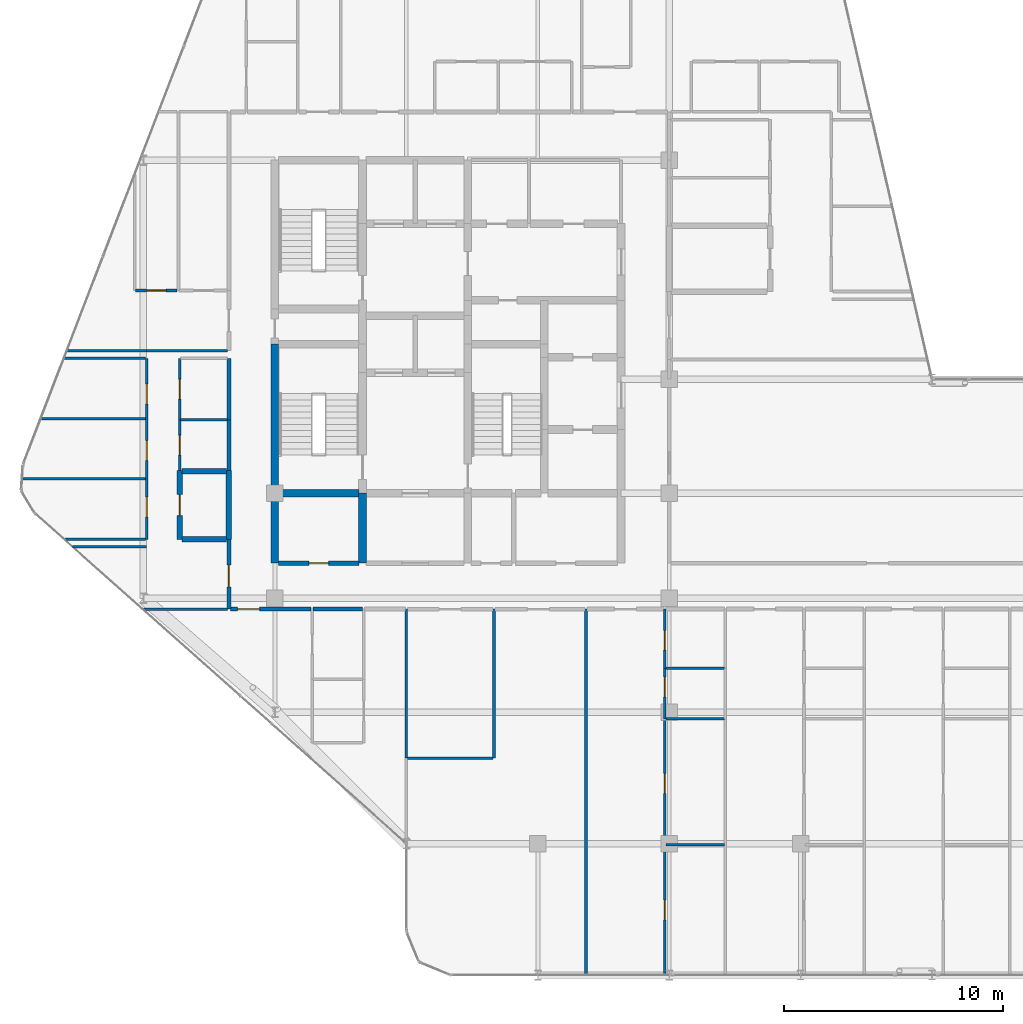
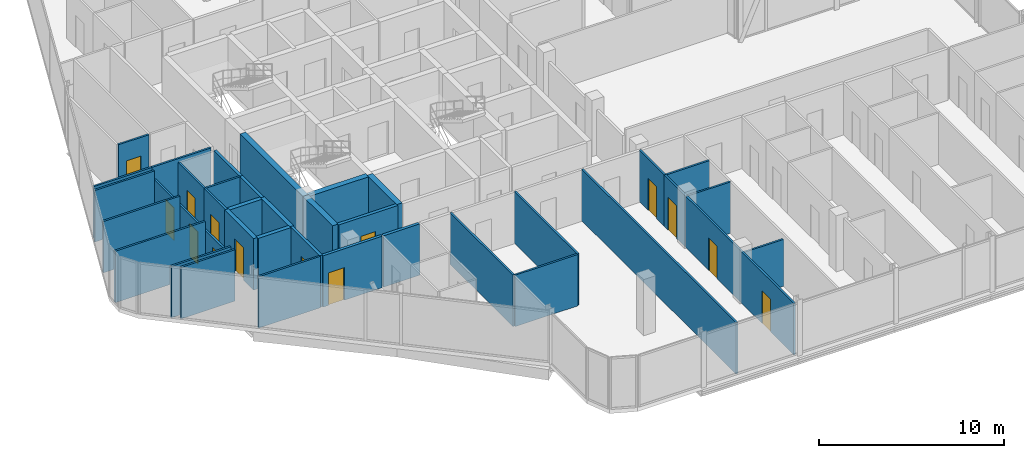
# One storey, part 23 of 29: 37 walls, 14 doors, 14 openings.
"""IFC4 building model written with IfcOpenShell, lengths in metres."""

from ifc_helpers import new_model, si_unit, direction, frame, frame_2d, origin, place, context, subcontext, project, spatial, rectangle, extrude, material, layer, layer_set, type_object, element, fill, save


model = new_model("IFC4")

# Units and contexts
model_context = context("Model", 3, precision=1e-05, world=origin(), true_north=direction((0.0, 1.0)))
body_context = subcontext(model_context, "Body", "Model", "MODEL_VIEW")
ifc_project = project(units=[si_unit("LENGTHUNIT", "METRE"), si_unit("AREAUNIT", "SQUARE_METRE"), si_unit("VOLUMEUNIT", "CUBIC_METRE"), si_unit("PLANEANGLEUNIT", "RADIAN"), si_unit("MASSUNIT", "GRAM", prefix="KILO")], contexts=[model_context])

# Site, building, storey
site_placement = place(None, origin())
site = spatial("IfcSite", under=ifc_project, at=site_placement, CompositionType="ELEMENT")
building_placement = place(site_placement, origin())
building = spatial("IfcBuilding", under=site, at=building_placement, Name="Keshet Zoharim Tower", CompositionType="ELEMENT")
storey_placement = place(building_placement, frame((0.0, 0.0, 222.800048828125)))
storey = spatial("IfcBuildingStorey", under=building, at=storey_placement, Name="L55", CompositionType="ELEMENT", Elevation=222.800048828125)

# Walls
ifc_material_1 = material(Name="Concrete C60/75", Category="concrete")
ifc_layer_1 = layer(ifc_material_1, 0.35009765625)
ifc_layer_set_1 = layer_set([ifc_layer_1], Name="Concrete C60/75")
wall_type_1 = type_object("IfcWallType", Name="WL-CORE-350", PredefinedType="SHEAR", material=ifc_layer_set_1)
wall_1_placement = place(storey_placement, frame((15.0, 19.5, 0.0), z_axis=(0.0, 0.0, 1.0), x_axis=(0.0, 1.0, 0.0)))
element("IfcWall", 1, at=wall_1_placement, inside=storey, type_object=wall_type_1, Name="L55 Core Shear Wall 015", PredefinedType="SHEAR", context=body_context, shape_type="SweptSolid", body=[
    extrude(rectangle(XDim=3.199951171875, YDim=0.35009765625, at=frame_2d((1.60009765625, 0.0))), origin(), (0.0, 0.0, 1.0), 3.389892578125),
])
wall_2_placement = place(storey_placement, frame((15.0, 22.699951171875, 0.0), z_axis=(0.0, 0.0, 1.0), x_axis=(0.0, 1.0, 0.0)))
element("IfcWall", 2, at=wall_2_placement, inside=storey, type_object=wall_type_1, Name="L55 Core Shear Wall 016", PredefinedType="SHEAR", context=body_context, shape_type="SweptSolid", body=[
    extrude(rectangle(XDim=6.800048828125, YDim=0.35009765625, at=frame_2d((3.39990234375, 0.0))), origin(), (0.0, 0.0, 1.0), 3.389892578125),
])
wall_3_placement = place(storey_placement, frame((19.0, 19.5, 0.0), z_axis=(0.0, 0.0, 1.0), x_axis=(0.0, 1.0, 0.0)))
element("IfcWall", 3, at=wall_3_placement, inside=storey, type_object=wall_type_1, Name="L55 Core Shear Wall 024", PredefinedType="SHEAR", context=body_context, shape_type="SweptSolid", body=[
    extrude(rectangle(XDim=3.199951171875, YDim=0.35009765625, at=frame_2d((1.60009765625, 0.0))), origin(), (0.0, 0.0, 1.0), 3.389892578125),
])
wall_4_placement = place(storey_placement, frame((15.159912109375, 22.699951171875, 0.0), z_axis=(0.0, 0.0, 1.0), x_axis=(1.0, 0.0, 0.0)))
element("IfcWall", 4, at=wall_4_placement, inside=storey, type_object=wall_type_1, Name="L55 Core Shear Wall 142", PredefinedType="SHEAR", context=body_context, shape_type="SweptSolid", body=[
    extrude(rectangle(XDim=3.68017578125, YDim=0.35009765625, at=frame_2d((1.840087890625, 0.0))), origin(), (0.0, 0.0, 1.0), 3.389892578125),
])

# Wall, opening, door
ifc_material_2 = material(Name="Gypsum Plasterboard", Category="gypsum")
ifc_layer_2 = layer(ifc_material_2, 0.179931640625)
ifc_layer_set_2 = layer_set([ifc_layer_2], Name="Gypsum Plasterboard")
wall_type_2 = type_object("IfcWallType", Name="WL-CORR-180", PredefinedType="STANDARD", material=ifc_layer_set_2)
wall_5_placement = place(storey_placement, frame((12.89990234375, 17.39990234375, 0.0), z_axis=(0.0, 0.0, 1.0), x_axis=(0.0, 1.0, 0.0)))
wall_5 = element("IfcWall", 5, at=wall_5_placement, inside=storey, type_object=wall_type_2, Name="L55 Interior Wall 007", PredefinedType="STANDARD", context=body_context, shape_type="SweptSolid", body=[
    extrude(rectangle(XDim=3.18017578125, YDim=0.179931640625, at=frame_2d((1.590087890625, 0.0))), origin(), (0.0, 0.0, 1.0), 3.389892578125),
])
opening_1_placement = place(wall_5_placement, frame((1.014892578125, 0.0, 0.0)))
opening_1 = element("IfcOpeningElement", 6, at=opening_1_placement, cuts=wall_5, Name="Opening D-F310", PredefinedType="OPENING", context=body_context, shape_type="SweptSolid", body=[
    extrude(rectangle(XDim=1.0, YDim=2.14990234375, at=frame_2d((0.5, 1.074951171875))), frame((0.0, 0.10009765625, 0.0), z_axis=(0.0, -1.0, 0.0), x_axis=(1.0, 0.0, 0.0)), (0.0, 0.0, 1.0), 0.199951171875),
])
ifc_material_3 = material(Name="Hardwood Timber", Category="wood")
door_type_1 = type_object("IfcDoorType", Name="DR-FD30-100", OperationType="NOTDEFINED", PredefinedType="DOOR", material=ifc_material_3)
door_1_placement = place(opening_1_placement, origin())
door_1 = element("IfcDoor", 7, at=door_1_placement, inside=storey, type_object=door_type_1, Name="Apartment 5509 Entrance Door", OperationType="SINGLE_SWING_RIGHT", OverallHeight=2.14990234375, OverallWidth=1.0, PredefinedType="DOOR", context=body_context, shape_type="SweptSolid", body=[
    extrude(rectangle(XDim=1.0, YDim=2.14990234375, at=frame_2d((0.5, 1.074951171875))), frame((0.0, 0.02490234375, 0.0), z_axis=(0.0, -1.0, 0.0), x_axis=(1.0, 0.0, 0.0)), (0.0, 0.0, 1.0), 0.050048828125),
])
fill(opening_1, door_1)

# Walls
wall_6_placement = place(storey_placement, frame((12.89990234375, 23.721923828125, 0.0), z_axis=(0.0, 0.0, 1.0), x_axis=(0.0, 1.0, 0.0)))
element("IfcWall", 8, at=wall_6_placement, inside=storey, type_object=wall_type_2, Name="L55 Interior Wall 009", PredefinedType="STANDARD", context=body_context, shape_type="SweptSolid", body=[
    extrude(rectangle(XDim=2.316162109375, YDim=0.179931640625, at=frame_2d((1.158203125, 0.0))), origin(), (0.0, 0.0, 1.0), 3.389892578125),
])
wall_7_placement = place(storey_placement, frame((12.89990234375, 26.0380859375, 0.0), z_axis=(0.0, 0.0, 1.0), x_axis=(0.0, 1.0, 0.0)))
element("IfcWall", 9, at=wall_7_placement, inside=storey, type_object=wall_type_2, Name="L55 Interior Wall 010", PredefinedType="STANDARD", context=body_context, shape_type="SweptSolid", body=[
    extrude(rectangle(XDim=2.81201171875, YDim=0.179931640625, at=frame_2d((1.406005859375, 0.0))), origin(), (0.0, 0.0, 1.0), 3.389892578125),
])

# Wall, opening, door
wall_8_placement = place(storey_placement, frame((12.97509765625, 17.39990234375, 0.0), z_axis=(0.0, 0.0, 1.0), x_axis=(1.0, 0.0, 0.0)))
wall_8 = element("IfcWall", 10, at=wall_8_placement, inside=storey, type_object=wall_type_2, Name="L55 Interior Wall 121", PredefinedType="STANDARD", context=body_context, shape_type="SweptSolid", body=[
    extrude(rectangle(XDim=3.679931640625, YDim=0.179931640625, at=frame_2d((1.83984375, 0.0))), origin(), (0.0, 0.0, 1.0), 3.389892578125),
])
opening_2_placement = place(wall_8_placement, frame((0.322021484375, 0.0, 0.0)))
opening_2 = element("IfcOpeningElement", 11, at=opening_2_placement, cuts=wall_8, Name="Opening D-F310", PredefinedType="OPENING", context=body_context, shape_type="SweptSolid", body=[
    extrude(rectangle(XDim=1.0, YDim=2.14990234375, at=frame_2d((0.5, 1.074951171875))), frame((0.0, 0.10009765625, 0.0), z_axis=(0.0, -1.0, 0.0), x_axis=(1.0, 0.0, 0.0)), (0.0, 0.0, 1.0), 0.199951171875),
])
door_2_placement = place(opening_2_placement, origin())
door_2 = element("IfcDoor", 12, at=door_2_placement, inside=storey, type_object=door_type_1, Name="Apartment 5501 Entrance Door", OperationType="SINGLE_SWING_RIGHT", OverallHeight=2.14990234375, OverallWidth=1.0, PredefinedType="DOOR", context=body_context, shape_type="SweptSolid", body=[
    extrude(rectangle(XDim=1.0, YDim=2.14990234375, at=frame_2d((0.5, 1.074951171875))), frame((0.0, 0.02490234375, 0.0), z_axis=(0.0, -1.0, 0.0), x_axis=(1.0, 0.0, 0.0)), (0.0, 0.0, 1.0), 0.050048828125),
])
fill(opening_2, door_2)

# Wall
wall_9_placement = place(storey_placement, frame((16.7451171875, 17.39990234375, 0.0), z_axis=(0.0, 0.0, 1.0), x_axis=(1.0, 0.0, 0.0)))
element("IfcWall", 13, at=wall_9_placement, inside=storey, type_object=wall_type_2, Name="L55 Interior Wall 122", PredefinedType="STANDARD", context=body_context, shape_type="SweptSolid", body=[
    extrude(rectangle(XDim=2.259765625, YDim=0.179931640625, at=frame_2d((1.1298828125, 0.0))), origin(), (0.0, 0.0, 1.0), 3.389892578125),
])

# Wall, opening, door
ifc_material_4 = material(Name="Concrete C50/60", Category="concrete")
ifc_layer_3 = layer(ifc_material_4, 0.199951171875)
ifc_layer_set_3 = layer_set([ifc_layer_3], Name="Concrete C50/60")
wall_type_3 = type_object("IfcWallType", Name="WL-FIRE-200", PredefinedType="STANDARD", material=ifc_layer_set_3)
wall_10_placement = place(storey_placement, frame((15.159912109375, 19.5, 0.0), z_axis=(0.0, 0.0, 1.0), x_axis=(1.0, 0.0, 0.0)))
wall_10 = element("IfcWall", 14, at=wall_10_placement, inside=storey, type_object=wall_type_3, Name="L55 Interior Wall 134", PredefinedType="STANDARD", context=body_context, shape_type="SweptSolid", body=[
    extrude(rectangle(XDim=3.68017578125, YDim=0.199951171875, at=frame_2d((1.840087890625, 0.0))), origin(), (0.0, 0.0, 1.0), 3.389892578125),
])
opening_3_placement = place(wall_10_placement, frame((1.389892578125, 0.0, 0.0)))
opening_3 = element("IfcOpeningElement", 15, at=opening_3_placement, cuts=wall_10, Name="Opening D-F690", PredefinedType="OPENING", context=body_context, shape_type="SweptSolid", body=[
    extrude(rectangle(XDim=0.89990234375, YDim=2.14990234375, at=frame_2d((0.449951171875, 1.074951171875))), frame((0.0, 0.10986328125, 0.0), z_axis=(0.0, -1.0, 0.0), x_axis=(1.0, 0.0, 0.0)), (0.0, 0.0, 1.0), 0.219970703125),
])
door_type_2 = type_object("IfcDoorType", Name="DR-FD60-090", OperationType="NOTDEFINED", PredefinedType="DOOR", material=ifc_material_3)
door_3_placement = place(opening_3_placement, origin())
door_3 = element("IfcDoor", 16, at=door_3_placement, inside=storey, type_object=door_type_2, Name="L55 Refuse Room Door", OperationType="SINGLE_SWING_LEFT", OverallHeight=2.14990234375, OverallWidth=0.89990234375, PredefinedType="DOOR", context=body_context, shape_type="SweptSolid", body=[
    extrude(rectangle(XDim=0.89990234375, YDim=2.14990234375, at=frame_2d((0.449951171875, 1.074951171875))), frame((0.0, 0.02490234375, 0.0), z_axis=(0.0, -1.0, 0.0), x_axis=(1.0, 0.0, 0.0)), (0.0, 0.0, 1.0), 0.050048828125),
])
fill(opening_3, door_3)

ifc_layer_4 = layer(ifc_material_4, 0.25)
ifc_layer_set_4 = layer_set([ifc_layer_4], Name="Concrete C50/60")
wall_type_4 = type_object("IfcWallType", Name="WL-MAMAD-250", PredefinedType="STANDARD", material=ifc_layer_set_4)
wall_11_placement = place(storey_placement, frame((10.64990234375, 20.580078125, 0.0), z_axis=(0.0, 0.0, 1.0), x_axis=(0.0, 1.0, 0.0)))
wall_11 = element("IfcWall", 17, at=wall_11_placement, inside=storey, type_object=wall_type_4, Name="L55 Interior Wall 004", PredefinedType="STANDARD", context=body_context, shape_type="SweptSolid", body=[
    extrude(rectangle(XDim=3.141845703125, YDim=0.25, at=frame_2d((1.57080078125, 0.0))), origin(), (0.0, 0.0, 1.0), 3.389892578125),
])
opening_4_placement = place(wall_11_placement, frame((1.095947265625, 0.0, 0.0)))
opening_4 = element("IfcOpeningElement", 18, at=opening_4_placement, cuts=wall_11, Name="Opening D-F695", PredefinedType="OPENING", context=body_context, shape_type="SweptSolid", body=[
    extrude(rectangle(XDim=0.949951171875, YDim=2.14990234375, at=frame_2d((0.47509765625, 1.074951171875))), frame((0.0, 0.135009765625, 0.0), z_axis=(0.0, -1.0, 0.0), x_axis=(1.0, 0.0, 0.0)), (0.0, 0.0, 1.0), 0.27001953125),
])
door_type_3 = type_object("IfcDoorType", Name="DR-FD60-095", OperationType="NOTDEFINED", PredefinedType="DOOR", material=ifc_material_3)
door_4_placement = place(opening_4_placement, origin())
door_4 = element("IfcDoor", 19, at=door_4_placement, inside=storey, type_object=door_type_3, Name="Apartment 5509 Study and Shelter Room Door", OperationType="SINGLE_SWING_LEFT", OverallHeight=2.14990234375, OverallWidth=0.949951171875, PredefinedType="DOOR", context=body_context, shape_type="SweptSolid", body=[
    extrude(rectangle(XDim=0.949951171875, YDim=2.14990234375, at=frame_2d((0.47509765625, 1.074951171875))), frame((0.0, 0.02490234375, 0.0), z_axis=(0.0, -1.0, 0.0), x_axis=(1.0, 0.0, 0.0)), (0.0, 0.0, 1.0), 0.050048828125),
])
fill(opening_4, door_4)

# Walls
wall_12_placement = place(storey_placement, frame((12.89990234375, 20.580078125, 0.0), z_axis=(0.0, 0.0, 1.0), x_axis=(0.0, 1.0, 0.0)))
element("IfcWall", 20, at=wall_12_placement, inside=storey, type_object=wall_type_4, Name="L55 Interior Wall 008", PredefinedType="STANDARD", context=body_context, shape_type="SweptSolid", body=[
    extrude(rectangle(XDim=3.141845703125, YDim=0.25, at=frame_2d((1.57080078125, 0.0))), origin(), (0.0, 0.0, 1.0), 3.389892578125),
])
for number, where, z_axis, x_axis, name in (
    (21, (10.760009765625, 20.60009765625, 0.0), (0.0, 0.0, 1.0), (1.0, 0.0, 0.0), "L55 Interior Wall 141"),
    (22, (10.760009765625, 23.699951171875, 0.0), (0.0, 0.0, 1.0), (1.0, 0.0, 0.0), "L55 Interior Wall 148"),
):
    element("IfcWall", number, at=place(storey_placement, frame(where, z_axis=z_axis, x_axis=x_axis)), inside=storey, type_object=wall_type_4, Name=name, PredefinedType="STANDARD", context=body_context, shape_type="SweptSolid", body=[
        extrude(rectangle(XDim=2.030029296875, YDim=0.25, at=frame_2d((1.01513671875, 0.0))), origin(), (0.0, 0.0, 1.0), 3.389892578125),
    ])

# Wall, openings, doors
ifc_layer_5 = layer(ifc_material_2, 0.1201171875)
ifc_layer_set_5 = layer_set([ifc_layer_5], Name="Gypsum Plasterboard")
wall_type_5 = type_object("IfcWallType", Name="WL-PART-120", PredefinedType="PARTITIONING", material=ifc_layer_set_5)
wall_13_placement = place(storey_placement, frame((9.14990234375, 20.580078125, 0.0), z_axis=(0.0, 0.0, 1.0), x_axis=(0.0, 1.0, 0.0)))
wall_13 = element("IfcWall", 23, at=wall_13_placement, inside=storey, type_object=wall_type_5, Name="L55 Interior Wall 002", PredefinedType="PARTITIONING", context=body_context, shape_type="SweptSolid", body=[
    extrude(rectangle(XDim=8.27001953125, YDim=0.1201171875, at=frame_2d((4.135009765625, 0.0))), origin(), (0.0, 0.0, 1.0), 2.7900390625),
])
opening_5_placement = place(wall_13_placement, frame((1.031005859375, 0.0, 0.0)))
opening_5 = element("IfcOpeningElement", 24, at=opening_5_placement, cuts=wall_13, Name="Opening D-IN90", PredefinedType="OPENING", context=body_context, shape_type="SweptSolid", body=[
    extrude(rectangle(XDim=0.89990234375, YDim=2.14990234375, at=frame_2d((0.449951171875, 1.074951171875))), frame((0.0, 0.070068359375, 0.0), z_axis=(0.0, -1.0, 0.0), x_axis=(1.0, 0.0, 0.0)), (0.0, 0.0, 1.0), 0.14013671875),
])
opening_6_placement = place(wall_13_placement, frame((3.611083984375, 0.0, 0.0)))
opening_6 = element("IfcOpeningElement", 25, at=opening_6_placement, cuts=wall_13, Name="Opening D-IN90", PredefinedType="OPENING", context=body_context, shape_type="SweptSolid", body=[
    extrude(rectangle(XDim=0.89990234375, YDim=2.14990234375, at=frame_2d((0.449951171875, 1.074951171875))), frame((0.0, 0.070068359375, 0.0), z_axis=(0.0, -1.0, 0.0), x_axis=(1.0, 0.0, 0.0)), (0.0, 0.0, 1.0), 0.14013671875),
])
opening_7_placement = place(wall_13_placement, frame((6.194091796875, 0.0, 0.0)))
opening_7 = element("IfcOpeningElement", 26, at=opening_7_placement, cuts=wall_13, Name="Opening D-IN90", PredefinedType="OPENING", context=body_context, shape_type="SweptSolid", body=[
    extrude(rectangle(XDim=0.89990234375, YDim=2.14990234375, at=frame_2d((0.449951171875, 1.074951171875))), frame((0.0, 0.070068359375, 0.0), z_axis=(0.0, -1.0, 0.0), x_axis=(1.0, 0.0, 0.0)), (0.0, 0.0, 1.0), 0.14013671875),
])
door_type_4 = type_object("IfcDoorType", Name="DR-INT-090", OperationType="NOTDEFINED", PredefinedType="DOOR", material=ifc_material_3)
door_5_placement = place(opening_5_placement, origin())
door_5 = element("IfcDoor", 27, at=door_5_placement, inside=storey, type_object=door_type_4, Name="Apartment 5509 Bedroom 1 Door", OperationType="SINGLE_SWING_RIGHT", OverallHeight=2.14990234375, OverallWidth=0.89990234375, PredefinedType="DOOR", context=body_context, shape_type="SweptSolid", body=[
    extrude(rectangle(XDim=0.89990234375, YDim=2.14990234375, at=frame_2d((0.449951171875, 1.074951171875))), frame((0.0, 0.02490234375, 0.0), z_axis=(0.0, -1.0, 0.0), x_axis=(1.0, 0.0, 0.0)), (0.0, 0.0, 1.0), 0.050048828125),
])
fill(opening_5, door_5)
door_6_placement = place(opening_6_placement, origin())
door_6 = element("IfcDoor", 28, at=door_6_placement, inside=storey, type_object=door_type_4, Name="Apartment 5509 Bedroom 2 Door", OperationType="SINGLE_SWING_LEFT", OverallHeight=2.14990234375, OverallWidth=0.89990234375, PredefinedType="DOOR", context=body_context, shape_type="SweptSolid", body=[
    extrude(rectangle(XDim=0.89990234375, YDim=2.14990234375, at=frame_2d((0.449951171875, 1.074951171875))), frame((0.0, 0.02490234375, 0.0), z_axis=(0.0, -1.0, 0.0), x_axis=(1.0, 0.0, 0.0)), (0.0, 0.0, 1.0), 0.050048828125),
])
fill(opening_6, door_6)
door_7_placement = place(opening_7_placement, origin())
door_7 = element("IfcDoor", 29, at=door_7_placement, inside=storey, type_object=door_type_4, Name="Apartment 5509 Bedroom 3 Door", OperationType="SINGLE_SWING_RIGHT", OverallHeight=2.14990234375, OverallWidth=0.89990234375, PredefinedType="DOOR", context=body_context, shape_type="SweptSolid", body=[
    extrude(rectangle(XDim=0.89990234375, YDim=2.14990234375, at=frame_2d((0.449951171875, 1.074951171875))), frame((0.0, 0.02490234375, 0.0), z_axis=(0.0, -1.0, 0.0), x_axis=(1.0, 0.0, 0.0)), (0.0, 0.0, 1.0), 0.050048828125),
])
fill(opening_7, door_7)

# Wall, opening, door
wall_14_placement = place(storey_placement, frame((10.64990234375, 26.0380859375, 0.0), z_axis=(0.0, 0.0, 1.0), x_axis=(0.0, 1.0, 0.0)))
wall_14 = element("IfcWall", 30, at=wall_14_placement, inside=storey, type_object=wall_type_5, Name="L55 Interior Wall 006", PredefinedType="PARTITIONING", context=body_context, shape_type="SweptSolid", body=[
    extrude(rectangle(XDim=2.81201171875, YDim=0.1201171875, at=frame_2d((1.406005859375, 0.0))), origin(), (0.0, 0.0, 1.0), 3.389892578125),
])
opening_8_placement = place(wall_14_placement, frame((0.9560546875, 0.0, 0.0)))
opening_8 = element("IfcOpeningElement", 31, at=opening_8_placement, cuts=wall_14, Name="Opening D-IN90", PredefinedType="OPENING", context=body_context, shape_type="SweptSolid", body=[
    extrude(rectangle(XDim=0.89990234375, YDim=2.14990234375, at=frame_2d((0.449951171875, 1.074951171875))), frame((0.0, 0.070068359375, 0.0), z_axis=(0.0, -1.0, 0.0), x_axis=(1.0, 0.0, 0.0)), (0.0, 0.0, 1.0), 0.14013671875),
])
door_8_placement = place(opening_8_placement, origin())
door_8 = element("IfcDoor", 32, at=door_8_placement, inside=storey, type_object=door_type_4, Name="Apartment 5509 Kitchen Door", OperationType="SINGLE_SWING_LEFT", OverallHeight=2.14990234375, OverallWidth=0.89990234375, PredefinedType="DOOR", context=body_context, shape_type="SweptSolid", body=[
    extrude(rectangle(XDim=0.89990234375, YDim=2.14990234375, at=frame_2d((0.449951171875, 1.074951171875))), frame((0.0, 0.02490234375, 0.0), z_axis=(0.0, -1.0, 0.0), x_axis=(1.0, 0.0, 0.0)), (0.0, 0.0, 1.0), 0.050048828125),
])
fill(opening_8, door_8)

# Walls
for number, where, z_axis, x_axis, name in (
    (33, (21.0, 10.60009765625, 0.0), (0.0, 0.0, 1.0), (0.0, 1.0, 0.0), "L55 Interior Wall 032"),
    (34, (25.0, 10.60009765625, 0.0), (0.0, 0.0, 1.0), (0.0, 1.0, 0.0), "L55 Interior Wall 045"),
):
    element("IfcWall", number, at=place(storey_placement, frame(where, z_axis=z_axis, x_axis=x_axis)), inside=storey, type_object=wall_type_5, Name=name, PredefinedType="PARTITIONING", context=body_context, shape_type="SweptSolid", body=[
        extrude(rectangle(XDim=6.7998046875, YDim=0.1201171875, at=frame_2d((3.39990234375, 0.0))), origin(), (0.0, 0.0, 1.0), 3.389892578125),
    ])
wall_15_placement = place(storey_placement, frame((29.199951171875, 0.7099609375, 0.0), z_axis=(0.0, 0.0, 1.0), x_axis=(0.0, 1.0, 0.0)))
element("IfcWall", 35, at=wall_15_placement, inside=storey, type_object=wall_type_5, Name="L55 Interior Wall 059", PredefinedType="PARTITIONING", context=body_context, shape_type="SweptSolid", body=[
    extrude(rectangle(XDim=16.68994140625, YDim=0.1201171875, at=frame_2d((8.344970703125, 0.0))), origin(), (0.0, 0.0, 1.0), 3.389892578125),
])

# Wall, openings, doors
wall_16_placement = place(storey_placement, frame((32.800048828125, 0.7099609375, 0.0), z_axis=(0.0, 0.0, 1.0), x_axis=(0.0, 1.0, 0.0)))
wall_16 = element("IfcWall", 36, at=wall_16_placement, inside=storey, type_object=wall_type_5, Name="L55 Interior Wall 066", PredefinedType="PARTITIONING", context=body_context, shape_type="SweptSolid", body=[
    extrude(rectangle(XDim=11.68994140625, YDim=0.1201171875, at=frame_2d((5.844970703125, 0.0))), origin(), (0.0, 0.0, 1.0), 3.389892578125),
])
opening_9_placement = place(wall_16_placement, frame((2.513916015625, 0.0, 0.0)))
opening_9 = element("IfcOpeningElement", 37, at=opening_9_placement, cuts=wall_16, Name="Opening D-IN90", PredefinedType="OPENING", context=body_context, shape_type="SweptSolid", body=[
    extrude(rectangle(XDim=0.89990234375, YDim=2.14990234375, at=frame_2d((0.449951171875, 1.074951171875))), frame((0.0, 0.070068359375, 0.0), z_axis=(0.0, -1.0, 0.0), x_axis=(1.0, 0.0, 0.0)), (0.0, 0.0, 1.0), 0.14013671875),
])
opening_10_placement = place(wall_16_placement, frame((8.280029296875, 0.0, 0.0)))
opening_10 = element("IfcOpeningElement", 38, at=opening_10_placement, cuts=wall_16, Name="Opening D-IN90", PredefinedType="OPENING", context=body_context, shape_type="SweptSolid", body=[
    extrude(rectangle(XDim=0.89990234375, YDim=2.14990234375, at=frame_2d((0.449951171875, 1.074951171875))), frame((0.0, 0.070068359375, 0.0), z_axis=(0.0, -1.0, 0.0), x_axis=(1.0, 0.0, 0.0)), (0.0, 0.0, 1.0), 0.14013671875),
])
door_9_placement = place(opening_9_placement, origin())
door_9 = element("IfcDoor", 39, at=door_9_placement, inside=storey, type_object=door_type_4, Name="Apartment 5502 Bedroom 1 Door", OperationType="SINGLE_SWING_LEFT", OverallHeight=2.14990234375, OverallWidth=0.89990234375, PredefinedType="DOOR", context=body_context, shape_type="SweptSolid", body=[
    extrude(rectangle(XDim=0.89990234375, YDim=2.14990234375, at=frame_2d((0.449951171875, 1.074951171875))), frame((0.0, 0.02490234375, 0.0), z_axis=(0.0, -1.0, 0.0), x_axis=(1.0, 0.0, 0.0)), (0.0, 0.0, 1.0), 0.050048828125),
])
fill(opening_9, door_9)
door_10_placement = place(opening_10_placement, origin())
door_10 = element("IfcDoor", 40, at=door_10_placement, inside=storey, type_object=door_type_4, Name="Apartment 5502 Bedroom 2 Door", OperationType="SINGLE_SWING_RIGHT", OverallHeight=2.14990234375, OverallWidth=0.89990234375, PredefinedType="DOOR", context=body_context, shape_type="SweptSolid", body=[
    extrude(rectangle(XDim=0.89990234375, YDim=2.14990234375, at=frame_2d((0.449951171875, 1.074951171875))), frame((0.0, 0.02490234375, 0.0), z_axis=(0.0, -1.0, 0.0), x_axis=(1.0, 0.0, 0.0)), (0.0, 0.0, 1.0), 0.050048828125),
])
fill(opening_10, door_10)

# Wall, opening, door
wall_17_placement = place(storey_placement, frame((32.800048828125, 12.39990234375, 0.0), z_axis=(0.0, 0.0, 1.0), x_axis=(0.0, 1.0, 0.0)))
wall_17 = element("IfcWall", 41, at=wall_17_placement, inside=storey, type_object=wall_type_5, Name="L55 Interior Wall 067", PredefinedType="PARTITIONING", context=body_context, shape_type="SweptSolid", body=[
    extrude(rectangle(XDim=2.300048828125, YDim=0.1201171875, at=frame_2d((1.14990234375, 0.0))), origin(), (0.0, 0.0, 1.0), 3.389892578125),
])
opening_11_placement = place(wall_17_placement, frame((0.9951171875, 0.0, 0.0)))
opening_11 = element("IfcOpeningElement", 42, at=opening_11_placement, cuts=wall_17, Name="Opening D-IN90", PredefinedType="OPENING", context=body_context, shape_type="SweptSolid", body=[
    extrude(rectangle(XDim=0.89990234375, YDim=2.14990234375, at=frame_2d((0.449951171875, 1.074951171875))), frame((0.0, 0.070068359375, 0.0), z_axis=(0.0, -1.0, 0.0), x_axis=(1.0, 0.0, 0.0)), (0.0, 0.0, 1.0), 0.14013671875),
])
door_11_placement = place(opening_11_placement, origin())
door_11 = element("IfcDoor", 43, at=door_11_placement, inside=storey, type_object=door_type_4, Name="Apartment 5502 Kitchen Door", OperationType="SINGLE_SWING_LEFT", OverallHeight=2.14990234375, OverallWidth=0.89990234375, PredefinedType="DOOR", context=body_context, shape_type="SweptSolid", body=[
    extrude(rectangle(XDim=0.89990234375, YDim=2.14990234375, at=frame_2d((0.449951171875, 1.074951171875))), frame((0.0, 0.02490234375, 0.0), z_axis=(0.0, -1.0, 0.0), x_axis=(1.0, 0.0, 0.0)), (0.0, 0.0, 1.0), 0.050048828125),
])
fill(opening_11, door_11)

# Walls
wall_18_placement = place(storey_placement, frame((32.844970703125, 6.64990234375, 0.0), z_axis=(0.0, 0.0, 1.0), x_axis=(1.0, 0.0, 0.0)))
element("IfcWall", 44, at=wall_18_placement, inside=storey, type_object=wall_type_5, Name="L55 Interior Wall 105", PredefinedType="PARTITIONING", context=body_context, shape_type="SweptSolid", body=[
    extrude(rectangle(XDim=2.669921875, YDim=0.1201171875, at=frame_2d((1.3349609375, 0.0))), origin(), (0.0, 0.0, 1.0), 3.08984375),
])
wall_19_placement = place(storey_placement, frame((21.044921875, 10.60009765625, 0.0), z_axis=(0.0, 0.0, 1.0), x_axis=(1.0, 0.0, 0.0)))
element("IfcWall", 45, at=wall_19_placement, inside=storey, type_object=wall_type_5, Name="L55 Interior Wall 109", PredefinedType="PARTITIONING", context=body_context, shape_type="SweptSolid", body=[
    extrude(rectangle(XDim=3.91015625, YDim=0.1201171875, at=frame_2d((1.955078125, 0.0))), origin(), (0.0, 0.0, 1.0), 3.389892578125),
])
wall_20_placement = place(storey_placement, frame((32.844970703125, 12.39990234375, 0.0), z_axis=(0.0, 0.0, 1.0), x_axis=(1.0, 0.0, 0.0)))
element("IfcWall", 46, at=wall_20_placement, inside=storey, type_object=wall_type_5, Name="L55 Interior Wall 111", PredefinedType="PARTITIONING", context=body_context, shape_type="SweptSolid", body=[
    extrude(rectangle(XDim=2.669921875, YDim=0.1201171875, at=frame_2d((1.3349609375, 0.0))), origin(), (0.0, 0.0, 1.0), 3.389892578125),
])
wall_21_placement = place(storey_placement, frame((8.972900390625, 17.39990234375, 0.0), z_axis=(0.0, 0.0, 1.0), x_axis=(1.0, 0.0, 0.0)))
element("IfcWall", 47, at=wall_21_placement, inside=storey, type_object=wall_type_5, Name="L55 Interior Wall 120", PredefinedType="PARTITIONING", context=body_context, shape_type="SweptSolid", body=[
    extrude(rectangle(XDim=3.85205078125, YDim=0.1201171875, at=frame_2d((1.926025390625, 0.0))), origin(), (0.0, 0.0, 1.0), 3.389892578125),
])
wall_22_placement = place(storey_placement, frame((5.76611328125, 20.25, 0.0), z_axis=(0.0, 0.0, 1.0), x_axis=(1.0, 0.0, 0.0)))
element("IfcWall", 48, at=wall_22_placement, inside=storey, type_object=wall_type_5, Name="L55 Interior Wall 139", PredefinedType="PARTITIONING", context=body_context, shape_type="SweptSolid", body=[
    extrude(rectangle(XDim=3.36376953125, YDim=0.1201171875, at=frame_2d((1.681884765625, 0.0))), origin(), (0.0, 0.0, 1.0), 3.389892578125),
])
wall_23_placement = place(storey_placement, frame((5.3720703125, 20.60009765625, 0.0), z_axis=(0.0, 0.0, 1.0), x_axis=(1.0, 0.0, 0.0)))
element("IfcWall", 49, at=wall_23_placement, inside=storey, type_object=wall_type_5, Name="L55 Interior Wall 140", PredefinedType="PARTITIONING", context=body_context, shape_type="SweptSolid", body=[
    extrude(rectangle(XDim=3.712890625, YDim=0.1201171875, at=frame_2d((1.8564453125, 0.0))), origin(), (0.0, 0.0, 1.0), 3.389892578125),
])
wall_24_placement = place(storey_placement, frame((3.465087890625, 23.35009765625, 0.0), z_axis=(0.0, 0.0, 1.0), x_axis=(1.0, 0.0, 0.0)))
element("IfcWall", 50, at=wall_24_placement, inside=storey, type_object=wall_type_5, Name="L55 Interior Wall 147", PredefinedType="PARTITIONING", context=body_context, shape_type="SweptSolid", body=[
    extrude(rectangle(XDim=5.619873046875, YDim=0.1201171875, at=frame_2d((2.81005859375, 0.0))), origin(), (0.0, 0.0, 1.0), 3.389892578125),
])
wall_25_placement = place(storey_placement, frame((4.31689453125, 26.10009765625, 0.0), z_axis=(0.0, 0.0, 1.0), x_axis=(1.0, 0.0, 0.0)))
element("IfcWall", 51, at=wall_25_placement, inside=storey, type_object=wall_type_5, Name="L55 Interior Wall 151", PredefinedType="PARTITIONING", context=body_context, shape_type="SweptSolid", body=[
    extrude(rectangle(XDim=4.76806640625, YDim=0.1201171875, at=frame_2d((2.384033203125, 0.0))), origin(), (0.0, 0.0, 1.0), 3.389892578125),
])
wall_26_placement = place(storey_placement, frame((5.375, 28.85009765625, 0.0), z_axis=(0.0, 0.0, 1.0), x_axis=(1.0, 0.0, 0.0)))
element("IfcWall", 52, at=wall_26_placement, inside=storey, type_object=wall_type_5, Name="L55 Interior Wall 154", PredefinedType="PARTITIONING", context=body_context, shape_type="SweptSolid", body=[
    extrude(rectangle(XDim=3.7099609375, YDim=0.1201171875, at=frame_2d((1.85498046875, 0.0))), origin(), (0.0, 0.0, 1.0), 3.389892578125),
])
wall_27_placement = place(storey_placement, frame((5.510009765625, 29.199951171875, 0.0), z_axis=(0.0, 0.0, 1.0), x_axis=(1.0, 0.0, 0.0)))
element("IfcWall", 53, at=wall_27_placement, inside=storey, type_object=wall_type_5, Name="L55 Interior Wall 157", PredefinedType="PARTITIONING", context=body_context, shape_type="SweptSolid", body=[
    extrude(rectangle(XDim=3.619873046875, YDim=0.1201171875, at=frame_2d((1.81005859375, 0.0))), origin(), (0.0, 0.0, 1.0), 3.389892578125),
])
wall_28_placement = place(storey_placement, frame((9.1298828125, 29.199951171875, 0.0), z_axis=(0.0, 0.0, 1.0), x_axis=(1.0, 0.0, 0.0)))
element("IfcWall", 54, at=wall_28_placement, inside=storey, type_object=wall_type_5, Name="L55 Interior Wall 158", PredefinedType="PARTITIONING", context=body_context, shape_type="SweptSolid", body=[
    extrude(rectangle(XDim=3.695068359375, YDim=0.1201171875, at=frame_2d((1.84765625, 0.0))), origin(), (0.0, 0.0, 1.0), 3.389892578125),
])

# Wall, opening, door
wall_29_placement = place(storey_placement, frame((8.64501953125, 31.949951171875, 0.0), z_axis=(0.0, 0.0, 1.0), x_axis=(1.0, 0.0, 0.0)))
wall_29 = element("IfcWall", 55, at=wall_29_placement, inside=storey, type_object=wall_type_5, Name="L55 Interior Wall 167", PredefinedType="PARTITIONING", context=body_context, shape_type="SweptSolid", body=[
    extrude(rectangle(XDim=1.887939453125, YDim=0.1201171875, at=frame_2d((0.94384765625, 0.0))), origin(), (0.0, 0.0, 1.0), 3.389892578125),
])
opening_12_placement = place(wall_29_placement, frame((0.493896484375, 0.0, 0.0)))
opening_12 = element("IfcOpeningElement", 56, at=opening_12_placement, cuts=wall_29, Name="Opening D-IN90", PredefinedType="OPENING", context=body_context, shape_type="SweptSolid", body=[
    extrude(rectangle(XDim=0.89990234375, YDim=2.14990234375, at=frame_2d((0.449951171875, 1.074951171875))), frame((0.0, 0.070068359375, 0.0), z_axis=(0.0, -1.0, 0.0), x_axis=(1.0, 0.0, 0.0)), (0.0, 0.0, 1.0), 0.14013671875),
])
door_12_placement = place(opening_12_placement, origin())
door_12 = element("IfcDoor", 57, at=door_12_placement, inside=storey, type_object=door_type_4, Name="Apartment 5510 Kitchen Door", OperationType="SINGLE_SWING_RIGHT", OverallHeight=2.14990234375, OverallWidth=0.89990234375, PredefinedType="DOOR", context=body_context, shape_type="SweptSolid", body=[
    extrude(rectangle(XDim=0.89990234375, YDim=2.14990234375, at=frame_2d((0.449951171875, 1.074951171875))), frame((0.0, 0.02490234375, 0.0), z_axis=(0.0, -1.0, 0.0), x_axis=(1.0, 0.0, 0.0)), (0.0, 0.0, 1.0), 0.050048828125),
])
fill(opening_12, door_12)

ifc_layer_6 = layer(ifc_material_2, 0.1201171875)
ifc_layer_set_6 = layer_set([ifc_layer_6], Name="Gypsum Plasterboard")
wall_type_6 = type_object("IfcWallType", Name="WL-WET-120", PredefinedType="PARTITIONING", material=ifc_layer_set_6)
wall_30_placement = place(storey_placement, frame((10.64990234375, 23.721923828125, 0.0), z_axis=(0.0, 0.0, 1.0), x_axis=(0.0, 1.0, 0.0)))
wall_30 = element("IfcWall", 58, at=wall_30_placement, inside=storey, type_object=wall_type_6, Name="L55 Interior Wall 005", PredefinedType="PARTITIONING", context=body_context, shape_type="SweptSolid", body=[
    extrude(rectangle(XDim=2.316162109375, YDim=0.1201171875, at=frame_2d((1.158203125, 0.0))), origin(), (0.0, 0.0, 1.0), 3.389892578125),
])
opening_13_placement = place(wall_30_placement, frame((0.7080078125, 0.0, 0.0)))
opening_13 = element("IfcOpeningElement", 59, at=opening_13_placement, cuts=wall_30, Name="Opening D-WT90", PredefinedType="OPENING", context=body_context, shape_type="SweptSolid", body=[
    extrude(rectangle(XDim=0.89990234375, YDim=2.10009765625, at=frame_2d((0.449951171875, 1.050048828125))), frame((0.0, 0.070068359375, 0.0), z_axis=(0.0, -1.0, 0.0), x_axis=(1.0, 0.0, 0.0)), (0.0, 0.0, 1.0), 0.14013671875),
])
door_type_5 = type_object("IfcDoorType", Name="DR-WET-090", OperationType="NOTDEFINED", PredefinedType="DOOR", material=ifc_material_3)
door_13_placement = place(opening_13_placement, origin())
door_13 = element("IfcDoor", 60, at=door_13_placement, inside=storey, type_object=door_type_5, Name="Apartment 5509 Bathroom Door", OperationType="SINGLE_SWING_RIGHT", OverallHeight=2.10009765625, OverallWidth=0.89990234375, PredefinedType="DOOR", context=body_context, shape_type="SweptSolid", body=[
    extrude(rectangle(XDim=0.89990234375, YDim=2.10009765625, at=frame_2d((0.449951171875, 1.050048828125))), frame((0.0, 0.02490234375, 0.0), z_axis=(0.0, -1.0, 0.0), x_axis=(1.0, 0.0, 0.0)), (0.0, 0.0, 1.0), 0.050048828125),
])
fill(opening_13, door_13)

wall_31_placement = place(storey_placement, frame((32.800048828125, 14.699951171875, 0.0), z_axis=(0.0, 0.0, 1.0), x_axis=(0.0, 1.0, 0.0)))
wall_31 = element("IfcWall", 61, at=wall_31_placement, inside=storey, type_object=wall_type_6, Name="L55 Interior Wall 068", PredefinedType="PARTITIONING", context=body_context, shape_type="SweptSolid", body=[
    extrude(rectangle(XDim=2.699951171875, YDim=0.1201171875, at=frame_2d((1.35009765625, 0.0))), origin(), (0.0, 0.0, 1.0), 3.389892578125),
])
opening_14_placement = place(wall_31_placement, frame((0.827880859375, 0.0, 0.0)))
opening_14 = element("IfcOpeningElement", 62, at=opening_14_placement, cuts=wall_31, Name="Opening D-WT90", PredefinedType="OPENING", context=body_context, shape_type="SweptSolid", body=[
    extrude(rectangle(XDim=0.89990234375, YDim=2.10009765625, at=frame_2d((0.449951171875, 1.050048828125))), frame((0.0, 0.070068359375, 0.0), z_axis=(0.0, -1.0, 0.0), x_axis=(1.0, 0.0, 0.0)), (0.0, 0.0, 1.0), 0.14013671875),
])
door_14_placement = place(opening_14_placement, origin())
door_14 = element("IfcDoor", 63, at=door_14_placement, inside=storey, type_object=door_type_5, Name="Apartment 5502 Bathroom Door", OperationType="SINGLE_SWING_RIGHT", OverallHeight=2.10009765625, OverallWidth=0.89990234375, PredefinedType="DOOR", context=body_context, shape_type="SweptSolid", body=[
    extrude(rectangle(XDim=0.89990234375, YDim=2.10009765625, at=frame_2d((0.449951171875, 1.050048828125))), frame((0.0, 0.02490234375, 0.0), z_axis=(0.0, -1.0, 0.0), x_axis=(1.0, 0.0, 0.0)), (0.0, 0.0, 1.0), 0.050048828125),
])
fill(opening_14, door_14)

# Walls
wall_32_placement = place(storey_placement, frame((32.844970703125, 14.699951171875, 0.0), z_axis=(0.0, 0.0, 1.0), x_axis=(1.0, 0.0, 0.0)))
element("IfcWall", 64, at=wall_32_placement, inside=storey, type_object=wall_type_6, Name="L55 Interior Wall 116", PredefinedType="PARTITIONING", context=body_context, shape_type="SweptSolid", body=[
    extrude(rectangle(XDim=2.669921875, YDim=0.1201171875, at=frame_2d((1.3349609375, 0.0))), origin(), (0.0, 0.0, 1.0), 3.389892578125),
])
wall_33_placement = place(storey_placement, frame((10.695068359375, 26.050048828125, 0.0), z_axis=(0.0, 0.0, 1.0), x_axis=(1.0, 0.0, 0.0)))
element("IfcWall", 65, at=wall_33_placement, inside=storey, type_object=wall_type_6, Name="L55 Interior Wall 150", PredefinedType="PARTITIONING", context=body_context, shape_type="SweptSolid", body=[
    extrude(rectangle(XDim=2.1298828125, YDim=0.1201171875, at=frame_2d((1.06494140625, 0.0))), origin(), (0.0, 0.0, 1.0), 3.389892578125),
])

save(model, "model.ifc")
